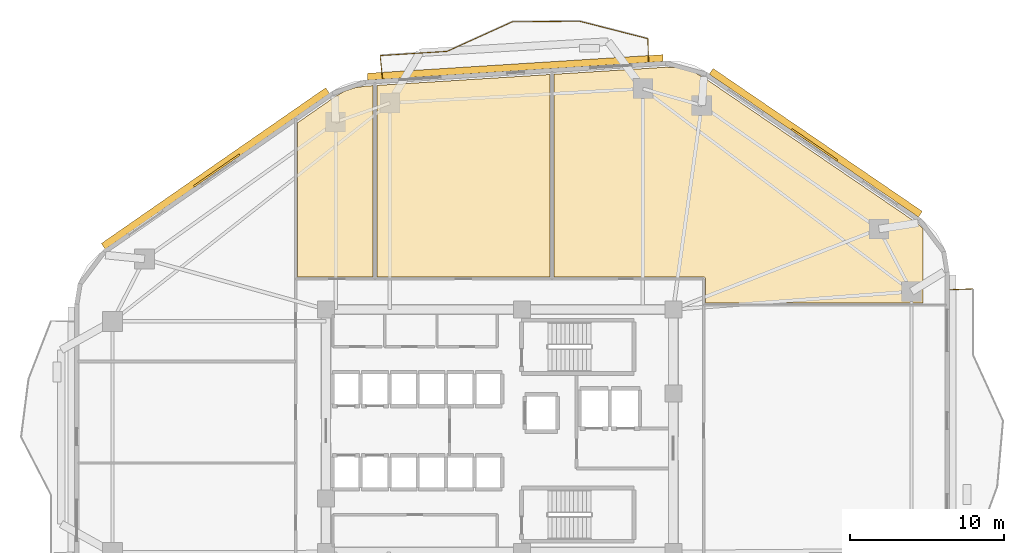
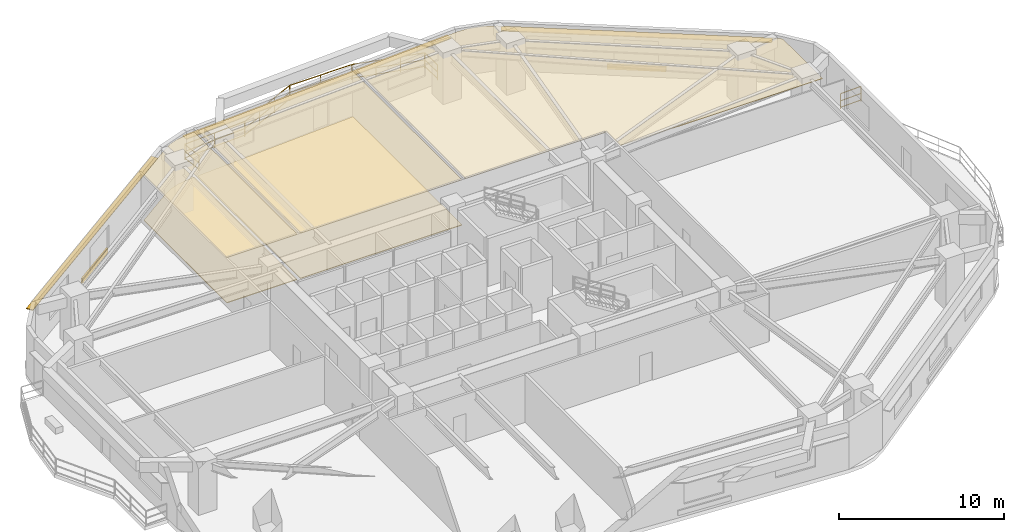
# One storey, part 9 of 9: 7 railings, 5 coverings, 5 shading devices.
"""IFC4 building model written with IfcOpenShell, lengths in metres."""

from ifc_helpers import new_model, si_unit, direction, frame, origin, origin_2d, place, context, subcontext, project, spatial, polyline, rectangle, outline, extrude, material, layer, layer_set, type_object, element, save


model = new_model("IFC4")

# Units and contexts
model_context = context("Model", 3, precision=1e-05, world=origin(), true_north=direction((0.0, 1.0)))
body_context = subcontext(model_context, "Body", "Model", "MODEL_VIEW")
ifc_project = project(units=[si_unit("LENGTHUNIT", "METRE"), si_unit("AREAUNIT", "SQUARE_METRE"), si_unit("VOLUMEUNIT", "CUBIC_METRE"), si_unit("PLANEANGLEUNIT", "RADIAN"), si_unit("MASSUNIT", "GRAM", prefix="KILO")], contexts=[model_context])

# Site, building, storey
site_placement = place(None, origin())
site = spatial("IfcSite", under=ifc_project, at=site_placement, CompositionType="ELEMENT")
building_placement = place(site_placement, origin())
building = spatial("IfcBuilding", under=site, at=building_placement, Name="Zulverin Broadcast Headquarters", CompositionType="ELEMENT")
storey_placement = place(building_placement, frame((0.0, 0.0, 82.0)))
storey = spatial("IfcBuildingStorey", under=building, at=storey_placement, Name="L20", CompositionType="ELEMENT", Elevation=82.0)

# Coverings
ifc_material_1 = material(Name="Perforated pale-metal acoustic baffle ceiling", Category="aluminium")
ifc_layer_1 = layer(ifc_material_1, 0.0400390625, Name="Perforated pale-metal acoustic baffle ceiling", Category="aluminium")
ifc_layer_set_1 = layer_set([ifc_layer_1], Name="Perforated pale-metal acoustic baffle ceiling")
covering_type_1 = type_object("IfcCoveringType", Name="COV-CEIL-ACOU", PredefinedType="CEILING", material=ifc_layer_set_1)
covering_1_placement = place(storey_placement, frame((0.0, 0.0, 3.344970703125)))
element("IfcCovering", 1, at=covering_1_placement, inside=storey, type_object=covering_type_1, Name="L20 Acoustic Baffle Ceiling 01", PredefinedType="CEILING", context=body_context, shape_type="SweptSolid", body=[
    extrude(outline(polyline([(28.780029296875, 35.172119140625), (28.780029296875, 47.60791015625), (28.27587890625, 47.575927734375), (27.575927734375, 47.468017578125), (26.927978515625, 47.243896484375), (26.31591796875, 46.89599609375), (23.8720703125, 45.196044921875), (23.8720703125, 35.172119140625), (28.780029296875, 35.172119140625)])), origin(), (0.0, 0.0, 1.0), 0.0400390625),
])
covering_2_placement = place(storey_placement, frame((0.0, 0.0, 3.344970703125)))
element("IfcCovering", 2, at=covering_2_placement, inside=storey, type_object=covering_type_1, Name="L20 Acoustic Baffle Ceiling 02", PredefinedType="CEILING", context=body_context, shape_type="SweptSolid", body=[
    extrude(outline(polyline([(40.280029296875, 35.172119140625), (40.280029296875, 48.33203125), (29.02001953125, 47.6240234375), (29.02001953125, 35.172119140625), (40.280029296875, 35.172119140625)])), origin(), (0.0, 0.0, 1.0), 0.0400390625),
])
covering_3_placement = place(storey_placement, frame((0.0, 0.0, 3.344970703125)))
element("IfcCovering", 3, at=covering_3_placement, inside=storey, type_object=covering_type_1, Name="L20 Acoustic Baffle Ceiling 03", PredefinedType="CEILING", context=body_context, shape_type="SweptSolid", body=[
    extrude(outline(polyline([(64.5, 38.303955078125), (64.115966796875, 38.672119140625), (50.248046875, 48.139892578125), (49.491943359375, 48.548095703125), (48.68408203125, 48.76806640625), (47.823974609375, 48.80810546875), (40.52001953125, 48.347900390625), (40.52001953125, 35.172119140625), (50.251953125, 35.172119140625), (50.263916015625, 35.172119140625), (50.27587890625, 35.16796875), (50.2880859375, 35.16796875), (50.2958984375, 35.1640625), (50.30810546875, 35.156005859375), (50.320068359375, 35.152099609375), (50.327880859375, 35.14404296875), (50.3359375, 35.135986328125), (50.343994140625, 35.1279296875), (50.35205078125, 35.1201171875), (50.35595703125, 35.10791015625), (50.364013671875, 35.095947265625), (50.367919921875, 35.087890625), (50.367919921875, 35.075927734375), (50.3720703125, 35.06396484375), (50.3720703125, 35.052001953125), (50.3720703125, 33.5), (64.5, 33.5), (64.5, 38.303955078125)])), origin(), (0.0, 0.0, 1.0), 0.0400390625),
])
ifc_material_2 = material(Name="Anti-static broadcast raised access flooring", Category="stone")
ifc_layer_2 = layer(ifc_material_2, 0.050048828125, Name="Anti-static broadcast raised access flooring", Category="stone")
ifc_layer_set_2 = layer_set([ifc_layer_2], Name="Anti-static broadcast raised access flooring")
covering_type_2 = type_object("IfcCoveringType", Name="COV-FLR-RAISED", PredefinedType="FLOORING", material=ifc_layer_set_2)
covering_4_placement = place(storey_placement, origin())
element("IfcCovering", 4, at=covering_4_placement, inside=storey, type_object=covering_type_2, Name="L20 Broadcast Raised Access Flooring 01", PredefinedType="FLOORING", context=body_context, shape_type="SweptSolid", body=[
    extrude(outline(polyline([(28.780029296875, 35.172119140625), (28.780029296875, 47.60791015625), (28.27587890625, 47.575927734375), (27.575927734375, 47.468017578125), (26.927978515625, 47.243896484375), (26.31591796875, 46.89599609375), (23.8720703125, 45.196044921875), (23.8720703125, 35.172119140625), (28.780029296875, 35.172119140625)])), origin(), (0.0, 0.0, 1.0), 0.050048828125),
])
covering_5_placement = place(storey_placement, origin())
element("IfcCovering", 5, at=covering_5_placement, inside=storey, type_object=covering_type_2, Name="L20 Broadcast Raised Access Flooring 02", PredefinedType="FLOORING", context=body_context, shape_type="SweptSolid", body=[
    extrude(outline(polyline([(40.280029296875, 35.172119140625), (40.280029296875, 48.33203125), (29.02001953125, 47.6240234375), (29.02001953125, 35.172119140625), (40.280029296875, 35.172119140625)])), origin(), (0.0, 0.0, 1.0), 0.050048828125),
])

# Railings
ifc_material_3 = material(Name="Brushed stainless steel & laminated glass balustrade", Category="steel")
railing_type = type_object("IfcRailingType", Name="RL-GUARD-1150", PredefinedType="GUARDRAIL", material=ifc_material_3)
railing_1_placement = place(storey_placement, frame((67.705078125, 34.413818359375, 0.0)))
element("IfcRailing", 6, at=railing_1_placement, inside=storey, type_object=railing_type, Name="L20 Vertical-Forest Balcony Guardrail BAL_E Segment 06", PredefinedType="GUARDRAIL", context=body_context, shape_type="SweptSolid", body=[
    extrude(rectangle(XDim=0.048095703125, YDim=0.048095703125, at=origin_2d()), frame((0.0, 0.0, 1.1259765625), z_axis=(-0.999181155166, -0.040460093435, 0.0), x_axis=(0.040460093435, -0.999181155166, 0.0)), (0.0, 0.0, 1.0), 1.46630859375),
    extrude(rectangle(XDim=0.0419921875, YDim=0.0419921875, at=origin_2d()), frame((0.0, 0.0, 0.597900390625), z_axis=(-0.999181155166, -0.040460093435, 0.0), x_axis=(0.040460093435, -0.999181155166, 0.0)), (0.0, 0.0, 1.0), 1.46630859375),
    extrude(rectangle(XDim=0.0419921875, YDim=0.0419921875, at=origin_2d()), frame((0.0, 0.0, 0.1201171875), z_axis=(-0.999181155166, -0.040460093435, 0.0), x_axis=(0.040460093435, -0.999181155166, 0.0)), (0.0, 0.0, 1.0), 1.46630859375),
    extrude(rectangle(XDim=0.0419921875, YDim=0.0419921875, at=origin_2d()), origin(), (0.0, 0.0, 1.0), 1.101806640625),
    extrude(rectangle(XDim=0.0419921875, YDim=0.0419921875, at=origin_2d()), frame((-1.465087890625, -0.059326171875, 0.0)), (0.0, 0.0, 1.0), 1.101806640625),
])
railing_2_placement = place(storey_placement, frame((46.662841796875, 49.176025390625, 0.0)))
element("IfcRailing", 7, at=railing_2_placement, inside=storey, type_object=railing_type, Name="L20 Vertical-Forest Balcony Guardrail BAL_N Segment 01", PredefinedType="GUARDRAIL", context=body_context, shape_type="SweptSolid", body=[
    extrude(rectangle(XDim=0.048095703125, YDim=0.048095703125, at=origin_2d()), frame((0.0, 0.0, 1.1259765625), z_axis=(-0.022479328211, 0.999747307975, 0.0), x_axis=(-0.999747307975, -0.022479328211, 0.0)), (0.0, 0.0, 1.0), 1.46630859375),
    extrude(rectangle(XDim=0.0419921875, YDim=0.0419921875, at=origin_2d()), frame((0.0, 0.0, 0.597900390625), z_axis=(-0.022479328211, 0.999747307975, 0.0), x_axis=(-0.999747307975, -0.022479328211, 0.0)), (0.0, 0.0, 1.0), 1.46630859375),
    extrude(rectangle(XDim=0.0419921875, YDim=0.0419921875, at=origin_2d()), frame((0.0, 0.0, 0.1201171875), z_axis=(-0.022479328211, 0.999747307975, 0.0), x_axis=(-0.999747307975, -0.022479328211, 0.0)), (0.0, 0.0, 1.0), 1.46630859375),
    extrude(rectangle(XDim=0.0419921875, YDim=0.0419921875, at=origin_2d()), origin(), (0.0, 0.0, 1.0), 1.101806640625),
    extrude(rectangle(XDim=0.0419921875, YDim=0.0419921875, at=origin_2d()), frame((-0.032958984375, 1.4658203125, 0.0)), (0.0, 0.0, 1.0), 1.101806640625),
])
railing_3_placement = place(storey_placement, frame((46.614990234375, 50.66064453125, 0.0)))
element("IfcRailing", 8, at=railing_3_placement, inside=storey, type_object=railing_type, Name="L20 Vertical-Forest Balcony Guardrail BAL_N Segment 02", PredefinedType="GUARDRAIL", context=body_context, shape_type="SweptSolid", body=[
    extrude(rectangle(XDim=0.048095703125, YDim=0.048095703125, at=origin_2d()), frame((0.0, 0.0, 1.1259765625), z_axis=(-0.968834750969, 0.247707943583, 0.0), x_axis=(-0.247707943583, -0.968834750969, 0.0)), (0.0, 0.0, 1.0), 4.550537109375),
    extrude(rectangle(XDim=0.0419921875, YDim=0.0419921875, at=origin_2d()), frame((0.0, 0.0, 0.597900390625), z_axis=(-0.968834750969, 0.247707943583, 0.0), x_axis=(-0.247707943583, -0.968834750969, 0.0)), (0.0, 0.0, 1.0), 4.550537109375),
    extrude(rectangle(XDim=0.0419921875, YDim=0.0419921875, at=origin_2d()), frame((0.0, 0.0, 0.1201171875), z_axis=(-0.968834750969, 0.247707943583, 0.0), x_axis=(-0.247707943583, -0.968834750969, 0.0)), (0.0, 0.0, 1.0), 4.550537109375),
    extrude(rectangle(XDim=0.0419921875, YDim=0.0419921875, at=origin_2d()), origin(), (0.0, 0.0, 1.0), 1.101806640625),
    extrude(rectangle(XDim=0.0419921875, YDim=0.0419921875, at=origin_2d()), frame((-1.469482421875, 0.375732421875, 0.0)), (0.0, 0.0, 1.0), 1.101806640625),
    extrude(rectangle(XDim=0.0419921875, YDim=0.0419921875, at=origin_2d()), frame((-2.939208984375, 0.75146484375, 0.0)), (0.0, 0.0, 1.0), 1.101806640625),
    extrude(rectangle(XDim=0.0419921875, YDim=0.0419921875, at=origin_2d()), frame((-4.40869140625, 1.127197265625, 0.0)), (0.0, 0.0, 1.0), 1.101806640625),
])
railing_4_placement = place(storey_placement, frame((42.177001953125, 51.79150390625, 0.0)))
element("IfcRailing", 9, at=railing_4_placement, inside=storey, type_object=railing_type, Name="L20 Vertical-Forest Balcony Guardrail BAL_N Segment 03", PredefinedType="GUARDRAIL", context=body_context, shape_type="SweptSolid", body=[
    extrude(rectangle(XDim=0.048095703125, YDim=0.048095703125, at=origin_2d()), frame((0.0, 0.0, 1.1259765625), z_axis=(-0.999965244372, -0.00833726867, 0.0), x_axis=(0.00833726867, -0.999965244372, 0.0)), (0.0, 0.0, 1.0), 4.333984375),
    extrude(rectangle(XDim=0.0419921875, YDim=0.0419921875, at=origin_2d()), frame((0.0, 0.0, 0.597900390625), z_axis=(-0.999965244372, -0.00833726867, 0.0), x_axis=(0.00833726867, -0.999965244372, 0.0)), (0.0, 0.0, 1.0), 4.333984375),
    extrude(rectangle(XDim=0.0419921875, YDim=0.0419921875, at=origin_2d()), frame((0.0, 0.0, 0.1201171875), z_axis=(-0.999965244372, -0.00833726867, 0.0), x_axis=(0.00833726867, -0.999965244372, 0.0)), (0.0, 0.0, 1.0), 4.333984375),
    extrude(rectangle(XDim=0.0419921875, YDim=0.0419921875, at=origin_2d()), origin(), (0.0, 0.0, 1.0), 1.101806640625),
    extrude(rectangle(XDim=0.0419921875, YDim=0.0419921875, at=origin_2d()), frame((-2.1669921875, -0.01806640625, 0.0)), (0.0, 0.0, 1.0), 1.101806640625),
    extrude(rectangle(XDim=0.0419921875, YDim=0.0419921875, at=origin_2d()), frame((-4.333740234375, -0.0361328125, 0.0)), (0.0, 0.0, 1.0), 1.101806640625),
])
railing_5_placement = place(storey_placement, frame((37.814453125, 51.7490234375, 0.0)))
element("IfcRailing", 10, at=railing_5_placement, inside=storey, type_object=railing_type, Name="L20 Vertical-Forest Balcony Guardrail BAL_N Segment 04", PredefinedType="GUARDRAIL", context=body_context, shape_type="SweptSolid", body=[
    extrude(rectangle(XDim=0.048095703125, YDim=0.048095703125, at=origin_2d()), frame((0.0, 0.0, 1.1259765625), z_axis=(-0.911046141087, -0.412304412794, 0.0), x_axis=(0.412304412794, -0.911046141087, 0.0)), (0.0, 0.0, 1.0), 4.62939453125),
    extrude(rectangle(XDim=0.0419921875, YDim=0.0419921875, at=origin_2d()), frame((0.0, 0.0, 0.597900390625), z_axis=(-0.911046141087, -0.412304412794, 0.0), x_axis=(0.412304412794, -0.911046141087, 0.0)), (0.0, 0.0, 1.0), 4.62939453125),
    extrude(rectangle(XDim=0.0419921875, YDim=0.0419921875, at=origin_2d()), frame((0.0, 0.0, 0.1201171875), z_axis=(-0.911046141087, -0.412304412794, 0.0), x_axis=(0.412304412794, -0.911046141087, 0.0)), (0.0, 0.0, 1.0), 4.62939453125),
    extrude(rectangle(XDim=0.0419921875, YDim=0.0419921875, at=origin_2d()), origin(), (0.0, 0.0, 1.0), 1.101806640625),
    extrude(rectangle(XDim=0.0419921875, YDim=0.0419921875, at=origin_2d()), frame((-1.40576171875, -0.63623046875, 0.0)), (0.0, 0.0, 1.0), 1.101806640625),
    extrude(rectangle(XDim=0.0419921875, YDim=0.0419921875, at=origin_2d()), frame((-2.811767578125, -1.2724609375, 0.0)), (0.0, 0.0, 1.0), 1.101806640625),
    extrude(rectangle(XDim=0.0419921875, YDim=0.0419921875, at=origin_2d()), frame((-4.217529296875, -1.90869140625, 0.0)), (0.0, 0.0, 1.0), 1.101806640625),
])
railing_6_placement = place(storey_placement, frame((33.568359375, 49.833251953125, 0.0)))
element("IfcRailing", 11, at=railing_6_placement, inside=storey, type_object=railing_type, Name="L20 Vertical-Forest Balcony Guardrail BAL_N Segment 05", PredefinedType="GUARDRAIL", context=body_context, shape_type="SweptSolid", body=[
    extrude(rectangle(XDim=0.048095703125, YDim=0.048095703125, at=origin_2d()), frame((0.0, 0.0, 1.1259765625), z_axis=(-0.998015967654, -0.062961323906, 0.0), x_axis=(0.062961323906, -0.998015967654, 0.0)), (0.0, 0.0, 1.0), 4.327392578125),
    extrude(rectangle(XDim=0.0419921875, YDim=0.0419921875, at=origin_2d()), frame((0.0, 0.0, 0.597900390625), z_axis=(-0.998015967654, -0.062961323906, 0.0), x_axis=(0.062961323906, -0.998015967654, 0.0)), (0.0, 0.0, 1.0), 4.327392578125),
    extrude(rectangle(XDim=0.0419921875, YDim=0.0419921875, at=origin_2d()), frame((0.0, 0.0, 0.1201171875), z_axis=(-0.998015967654, -0.062961323906, 0.0), x_axis=(0.062961323906, -0.998015967654, 0.0)), (0.0, 0.0, 1.0), 4.327392578125),
    extrude(rectangle(XDim=0.0419921875, YDim=0.0419921875, at=origin_2d()), origin(), (0.0, 0.0, 1.0), 1.101806640625),
    extrude(rectangle(XDim=0.0419921875, YDim=0.0419921875, at=origin_2d()), frame((-2.159423828125, -0.13623046875, 0.0)), (0.0, 0.0, 1.0), 1.101806640625),
    extrude(rectangle(XDim=0.0419921875, YDim=0.0419921875, at=origin_2d()), frame((-4.31884765625, -0.2724609375, 0.0)), (0.0, 0.0, 1.0), 1.101806640625),
])
railing_7_placement = place(storey_placement, frame((29.236083984375, 49.545166015625, 0.0)))
element("IfcRailing", 12, at=railing_7_placement, inside=storey, type_object=railing_type, Name="L20 Vertical-Forest Balcony Guardrail BAL_N Segment 06", PredefinedType="GUARDRAIL", context=body_context, shape_type="SweptSolid", body=[
    extrude(rectangle(XDim=0.048095703125, YDim=0.048095703125, at=origin_2d()), frame((0.0, 0.0, 1.1259765625), z_axis=(0.103393334431, -0.994640547331, 0.0), x_axis=(0.994640547331, 0.103393334431, 0.0)), (0.0, 0.0, 1.0), 1.46630859375),
    extrude(rectangle(XDim=0.0419921875, YDim=0.0419921875, at=origin_2d()), frame((0.0, 0.0, 0.597900390625), z_axis=(0.103393334431, -0.994640547331, 0.0), x_axis=(0.994640547331, 0.103393334431, 0.0)), (0.0, 0.0, 1.0), 1.46630859375),
    extrude(rectangle(XDim=0.0419921875, YDim=0.0419921875, at=origin_2d()), frame((0.0, 0.0, 0.1201171875), z_axis=(0.103393334431, -0.994640547331, 0.0), x_axis=(0.994640547331, 0.103393334431, 0.0)), (0.0, 0.0, 1.0), 1.46630859375),
    extrude(rectangle(XDim=0.0419921875, YDim=0.0419921875, at=origin_2d()), origin(), (0.0, 0.0, 1.0), 1.101806640625),
    extrude(rectangle(XDim=0.0419921875, YDim=0.0419921875, at=origin_2d()), frame((0.151611328125, -1.45849609375, 0.0)), (0.0, 0.0, 1.0), 1.101806640625),
])

# Shading devices
ifc_material_4 = material(Name="Anodized pale-metal aluminium acoustic louvre", Category="aluminium")
shading_device_type_1 = type_object("IfcShadingDeviceType", Name="SHD-LOUVRE-350", PredefinedType="USERDEFINED", material=ifc_material_4)
for number, where, z_axis, x_axis, name in (
    (13, (57.435302734375, 43.76708984375, 0.244873046875), (0.0, 0.0, 1.0), (-0.825756855157, 0.564026254851, 0.0), "L20 Spandrel Intake Louvre 4"),
    (14, (18.631103515625, 42.0966796875, 0.244873046875), (0.0, 0.0, 1.0), (-0.821556397865, -0.57012725345, 0.0), "L20 Spandrel Intake Louvre 6"),
):
    element("IfcShadingDevice", number, at=place(storey_placement, frame(where, z_axis=z_axis, x_axis=x_axis)), inside=storey, type_object=shading_device_type_1, Name=name, ObjectType="LOUVRE", PredefinedType="USERDEFINED", context=body_context, shape_type="SweptSolid", body=[
        extrude(rectangle(XDim=3.60009765625, YDim=0.1201171875, at=origin_2d()), origin(), (0.0, 0.0, 1.0), 0.35009765625),
    ])
ifc_material_5 = material(Name="Anodized pale-metal aluminium sunshade", Category="aluminium")
ifc_layer_3 = layer(ifc_material_5, 0.06005859375, Name="Anodized pale-metal aluminium sunshade", Category="aluminium")
ifc_layer_set_3 = layer_set([ifc_layer_3], Name="Anodized pale-metal aluminium sunshade")
shading_device_type_2 = type_object("IfcShadingDeviceType", Name="SS-01_PALE_METAL_ALUMINIUM_SUNSHADE", PredefinedType="USERDEFINED", material=ifc_layer_set_3)
shading_device_1_placement = place(storey_placement, frame((57.525390625, 43.8994140625, 2.7099609375), z_axis=(0.0, 0.0, 1.0), x_axis=(-0.825756855157, 0.564026254851, 0.0)))
element("IfcShadingDevice", 15, at=shading_device_1_placement, inside=storey, type_object=shading_device_type_2, Name="L20 Horizontal Pale-Metal Sunshade Band 4", ObjectType="SUNSHADE", PredefinedType="USERDEFINED", context=body_context, shape_type="SweptSolid", body=[
    extrude(rectangle(XDim=16.4482421875, YDim=0.449951171875, at=origin_2d()), origin(), (0.0, 0.0, 1.0), 0.06005859375),
])
shading_device_2_placement = place(storey_placement, frame((38.01513671875, 48.791015625, 2.7099609375), z_axis=(0.0, 0.0, 1.0), x_axis=(-0.998017621976, -0.062935095345, 0.0)))
element("IfcShadingDevice", 16, at=shading_device_2_placement, inside=storey, type_object=shading_device_type_2, Name="L20 Horizontal Pale-Metal Sunshade Band 5", ObjectType="SUNSHADE", PredefinedType="USERDEFINED", context=body_context, shape_type="SweptSolid", body=[
    extrude(rectangle(XDim=19.2294921875, YDim=0.449951171875, at=origin_2d()), origin(), (0.0, 0.0, 1.0), 0.06005859375),
])
shading_device_3_placement = place(storey_placement, frame((18.539794921875, 42.22802734375, 2.7099609375), z_axis=(0.0, 0.0, 1.0), x_axis=(-0.821556397865, -0.57012725345, 0.0)))
element("IfcShadingDevice", 17, at=shading_device_3_placement, inside=storey, type_object=shading_device_type_2, Name="L20 Horizontal Pale-Metal Sunshade Band 6", ObjectType="SUNSHADE", PredefinedType="USERDEFINED", context=body_context, shape_type="SweptSolid", body=[
    extrude(rectangle(XDim=17.732421875, YDim=0.449951171875, at=origin_2d()), origin(), (0.0, 0.0, 1.0), 0.06005859375),
])

save(model, "model.ifc")
